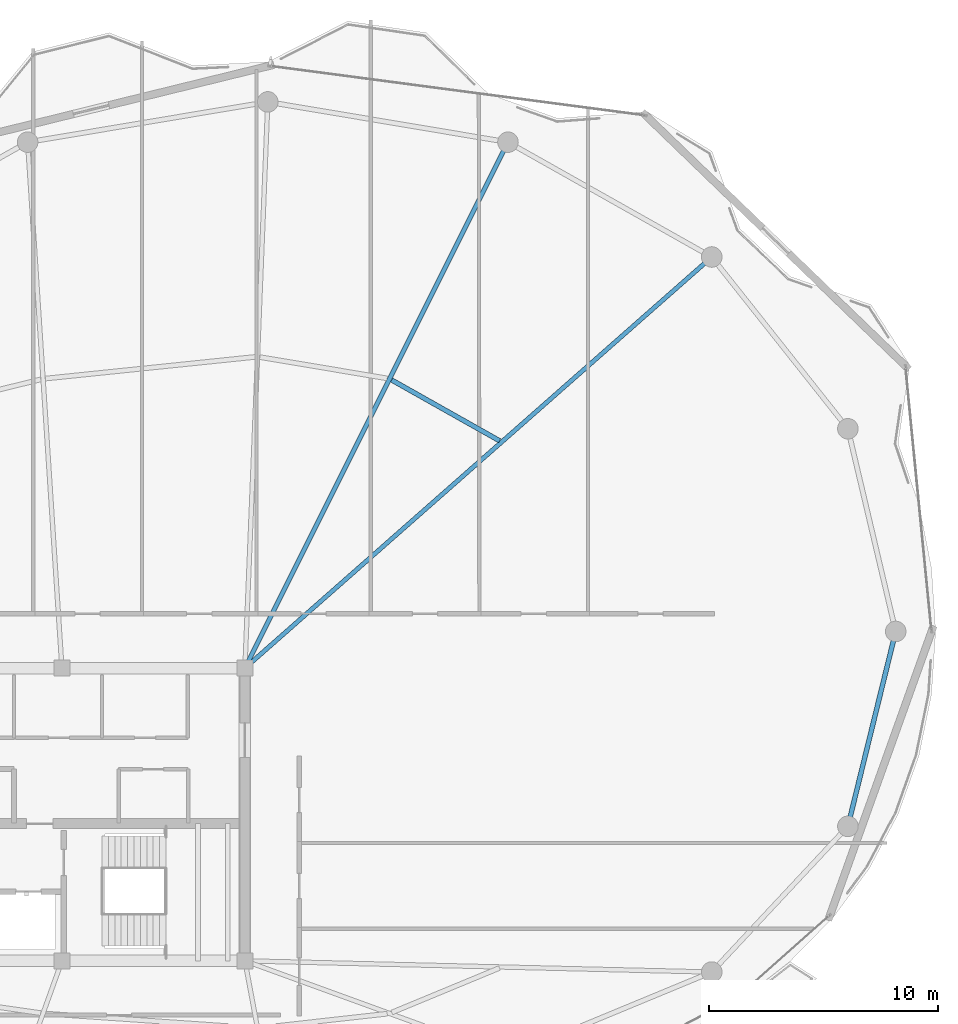
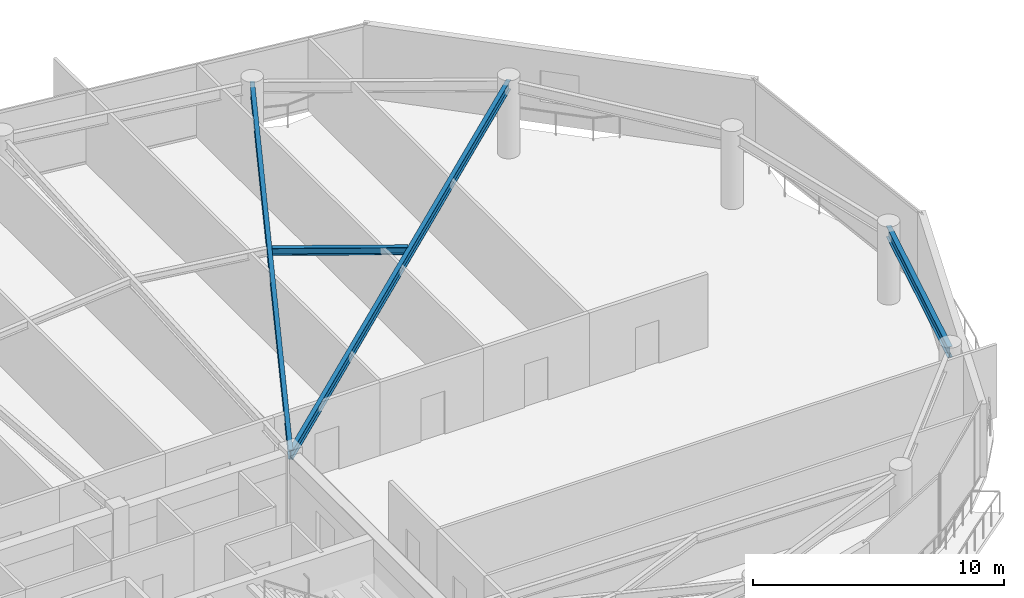
# One storey, part 15 of 29: 4 beams.
"""IFC4 building model written with IfcOpenShell, lengths in metres."""

from ifc_helpers import new_model, si_unit, direction, frame, origin, origin_2d, place, context, subcontext, project, spatial, i_section, extrude, material, material_profile, profile_set, type_object, element, save


model = new_model("IFC4")

# Units and contexts
model_context = context("Model", 3, precision=1e-05, world=origin(), true_north=direction((0.0, 1.0)))
body_context = subcontext(model_context, "Body", "Model", "MODEL_VIEW")
ifc_project = project(units=[si_unit("LENGTHUNIT", "METRE"), si_unit("AREAUNIT", "SQUARE_METRE"), si_unit("VOLUMEUNIT", "CUBIC_METRE"), si_unit("PLANEANGLEUNIT", "RADIAN"), si_unit("MASSUNIT", "GRAM", prefix="KILO")], contexts=[model_context])

# Site, building, storey
site_placement = place(None, origin())
site = spatial("IfcSite", under=ifc_project, at=site_placement, CompositionType="ELEMENT")
building_placement = place(site_placement, origin())
building = spatial("IfcBuilding", under=site, at=building_placement, Name="Kazevale Care Tower and Concert Hall", CompositionType="ELEMENT")
storey_placement = place(building_placement, frame((0.0, 0.0, 262.39990234375)))
storey = spatial("IfcBuildingStorey", under=building, at=storey_placement, Name="L69", CompositionType="ELEMENT", Elevation=262.39990234375)

# Beams
ifc_material = material(Name="Steel ASTM A572 Gr 50", Category="steel")
ifc_material_profile_1 = material_profile(ifc_material, i_section(OverallWidth=0.19091796875, OverallDepth=0.4599609375, WebThickness=0.010009765625, FlangeThickness=0.01611328125, at=origin_2d()), Name="W460x82")
ifc_profile_set_1 = profile_set([ifc_material_profile_1], Name="Steel ASTM A572 Gr 50")
beam_type_1 = type_object("IfcBeamType", Name="Radial Floor Beam W460x82", PredefinedType="BEAM", material=ifc_profile_set_1)
beam_1_placement = place(storey_placement, frame((44.0, 36.39990234375, 3.330078125), z_axis=(0.750540377871, 0.660824591844, 0.0), x_axis=(-0.660824591844, 0.750540377871, 0.0)))
element("IfcBeam", 1, at=beam_1_placement, inside=storey, type_object=beam_type_1, Name="beam:L69:rad:03", PredefinedType="BEAM", context=body_context, shape_type="SweptSolid", body=[
    extrude(i_section(OverallWidth=0.19091796875, OverallDepth=0.4599609375, WebThickness=0.010009765625, FlangeThickness=0.01611328125, at=origin_2d()), origin(), (0.0, 0.0, 1.0), 27.193603515625),
])
beam_2_placement = place(storey_placement, frame((44.0, 36.39990234375, 3.330078125), z_axis=(0.447369347408, 0.894349298093, 0.0), x_axis=(-0.894349298093, 0.447369347408, 0.0)))
element("IfcBeam", 2, at=beam_2_placement, inside=storey, type_object=beam_type_1, Name="beam:L69:rad:04", PredefinedType="BEAM", context=body_context, shape_type="SweptSolid", body=[
    extrude(i_section(OverallWidth=0.19091796875, OverallDepth=0.4599609375, WebThickness=0.010009765625, FlangeThickness=0.01611328125, at=origin_2d()), origin(), (0.0, 0.0, 1.0), 25.705810546875),
])
ifc_material_profile_2 = material_profile(ifc_material, i_section(OverallWidth=0.205078125, OverallDepth=0.35400390625, WebThickness=0.009521484375, FlangeThickness=0.016845703125, at=origin_2d()), Name="W360x79")
ifc_profile_set_2 = profile_set([ifc_material_profile_2], Name="Steel ASTM A572 Gr 50")
beam_type_2 = type_object("IfcBeamType", Name="Secondary Floor Joist W360x79", PredefinedType="JOIST", material=ifc_profile_set_2)
beam_3_placement = place(storey_placement, frame((55.134033203125, 46.3349609375, 3.383056640625), z_axis=(-0.871253873352, 0.490832647823, 0.0), x_axis=(-0.490832647823, -0.871253873352, 0.0)))
element("IfcBeam", 3, at=beam_3_placement, inside=storey, type_object=beam_type_2, Name="beam:L69:joist:03", PredefinedType="JOIST", context=body_context, shape_type="SweptSolid", body=[
    extrude(i_section(OverallWidth=0.205078125, OverallDepth=0.35400390625, WebThickness=0.009521484375, FlangeThickness=0.016845703125, at=origin_2d()), origin(), (0.0, 0.0, 1.0), 5.415283203125),
])
ifc_material_profile_3 = material_profile(ifc_material, i_section(OverallWidth=0.208984375, OverallDepth=0.532958984375, WebThickness=0.01025390625, FlangeThickness=0.015625, at=origin_2d()), Name="W530x92")
ifc_profile_set_3 = profile_set([ifc_material_profile_3], Name="Steel ASTM A572 Gr 50")
beam_type_3 = type_object("IfcBeamType", Name="Upper Ring Beam W530x92", PredefinedType="BEAM", material=ifc_profile_set_3)
beam_4_placement = place(storey_placement, frame((70.360107421875, 29.47998046875, 3.293701171875), z_axis=(0.238224499566, 0.971210115169, 0.0), x_axis=(-0.971210115169, 0.238224499566, 0.0)))
element("IfcBeam", 4, at=beam_4_placement, inside=storey, type_object=beam_type_3, Name="beam:L69:ring:16", PredefinedType="BEAM", context=body_context, shape_type="SweptSolid", body=[
    extrude(i_section(OverallWidth=0.208984375, OverallDepth=0.532958984375, WebThickness=0.01025390625, FlangeThickness=0.015625, at=origin_2d()), origin(), (0.0, 0.0, 1.0), 8.7724609375),
])

save(model, "model.ifc")
